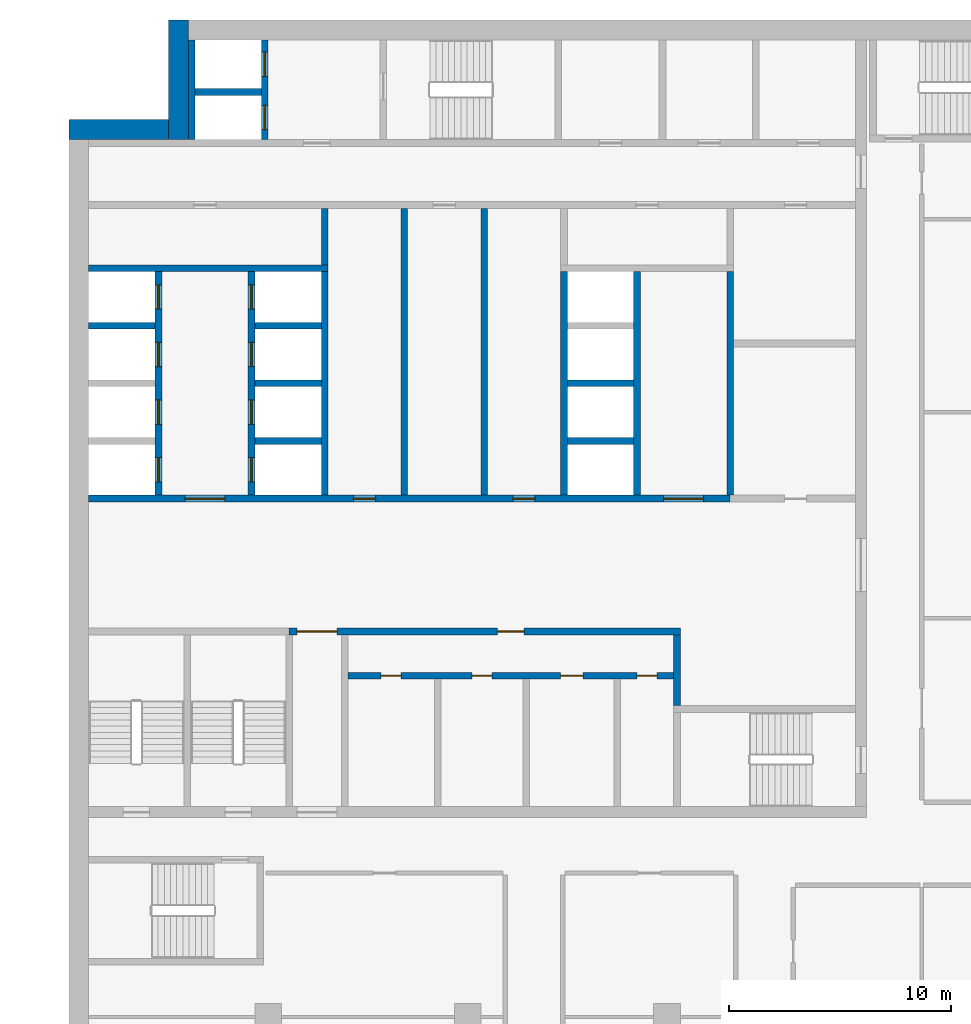
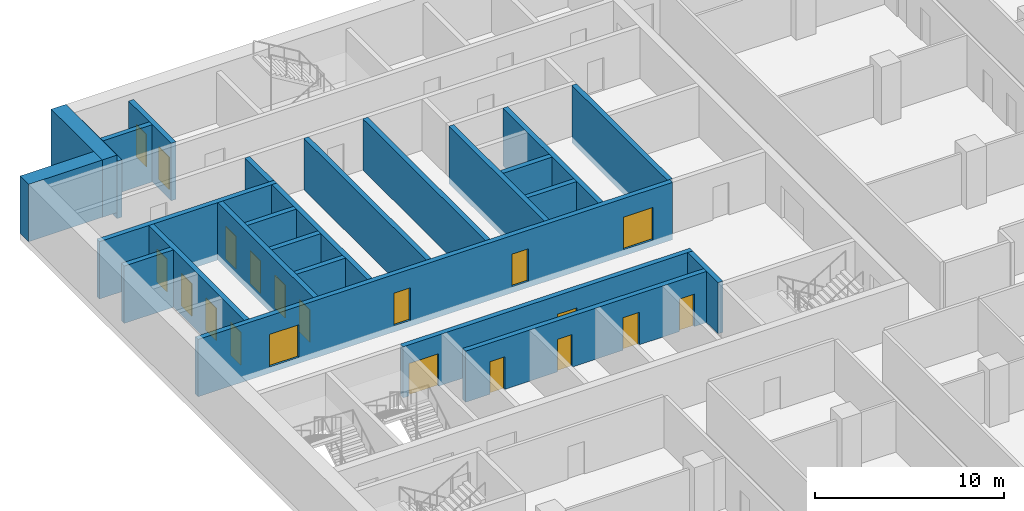
# One storey, part 13 of 23: 25 walls, 20 doors, 20 openings.
"""IFC4 building model written with IfcOpenShell, lengths in metres."""

from ifc_helpers import new_model, si_unit, direction, frame, frame_2d, origin, place, context, subcontext, project, spatial, rectangle, extrude, material, layer, layer_set, type_object, element, fill, save


model = new_model("IFC4")

# Units and contexts
model_context = context("Model", 3, precision=1e-05, world=origin(), true_north=direction((0.0, 1.0)))
body_context = subcontext(model_context, "Body", "Model", "MODEL_VIEW")
ifc_project = project(units=[si_unit("LENGTHUNIT", "METRE"), si_unit("AREAUNIT", "SQUARE_METRE"), si_unit("VOLUMEUNIT", "CUBIC_METRE"), si_unit("PLANEANGLEUNIT", "RADIAN"), si_unit("MASSUNIT", "GRAM", prefix="KILO")], contexts=[model_context])

# Site, building, storey
site_placement = place(None, origin())
site = spatial("IfcSite", under=ifc_project, at=site_placement, CompositionType="ELEMENT")
building_placement = place(site_placement, origin())
building = spatial("IfcBuilding", under=site, at=building_placement, Name="Hunhe Ridgeline Campus", CompositionType="ELEMENT")
storey_placement = place(building_placement, frame((0.0, 0.0, 152.300048828125)))
storey = spatial("IfcBuildingStorey", under=building, at=storey_placement, Name="L38", CompositionType="ELEMENT", Elevation=152.300048828125)

# Wall, openings, doors
ifc_material_1 = material(Name="Masonry concrete blockwork", Category="masonry")
ifc_layer_1 = layer(ifc_material_1, 0.300048828125)
ifc_layer_set_1 = layer_set([ifc_layer_1], Name="Core room partition 300 concrete block")
wall_type_1 = type_object("IfcWallType", Name="Core room partition 300 concrete block", PredefinedType="PARTITIONING", material=ifc_layer_set_1)
wall_1_placement = place(storey_placement, frame((12.60009765625, 69.39990234375, 0.0), z_axis=(0.0, 0.0, 1.0), x_axis=(1.0, 0.0, 0.0)))
wall_1 = element("IfcWall", 1, at=wall_1_placement, inside=storey, type_object=wall_type_1, Name="L38 core partition 9", PredefinedType="PARTITIONING", context=body_context, shape_type="SweptSolid", body=[
    extrude(rectangle(XDim=14.699951171875, YDim=0.300048828125, at=frame_2d((7.35009765625, 0.0))), origin(), (0.0, 0.0, 1.0), 3.300048828125),
])
opening_1_placement = place(wall_1_placement, frame((1.5, 0.0, 0.0)))
opening_1 = element("IfcOpeningElement", 2, at=opening_1_placement, cuts=wall_1, Name="Opening CD8", PredefinedType="OPENING", context=body_context, shape_type="SweptSolid", body=[
    extrude(rectangle(XDim=0.89990234375, YDim=2.10009765625, at=frame_2d((0.449951171875, 1.050048828125))), frame((0.0, 0.14990234375, 0.0), z_axis=(0.0, -1.0, 0.0), x_axis=(1.0, 0.0, 0.0)), (0.0, 0.0, 1.0), 0.300048828125),
])
opening_2_placement = place(wall_1_placement, frame((5.60009765625, 0.0, 0.0)))
opening_2 = element("IfcOpeningElement", 3, at=opening_2_placement, cuts=wall_1, Name="Opening CD9", PredefinedType="OPENING", context=body_context, shape_type="SweptSolid", body=[
    extrude(rectangle(XDim=0.89990234375, YDim=2.10009765625, at=frame_2d((0.449951171875, 1.050048828125))), frame((0.0, 0.14990234375, 0.0), z_axis=(0.0, -1.0, 0.0), x_axis=(1.0, 0.0, 0.0)), (0.0, 0.0, 1.0), 0.300048828125),
])
opening_3_placement = place(wall_1_placement, frame((9.60009765625, 0.0, 0.0)))
opening_3 = element("IfcOpeningElement", 4, at=opening_3_placement, cuts=wall_1, Name="Opening CD10", PredefinedType="OPENING", context=body_context, shape_type="SweptSolid", body=[
    extrude(rectangle(XDim=1.0, YDim=2.10009765625, at=frame_2d((0.5, 1.050048828125))), frame((0.0, 0.14990234375, 0.0), z_axis=(0.0, -1.0, 0.0), x_axis=(1.0, 0.0, 0.0)), (0.0, 0.0, 1.0), 0.300048828125),
])
opening_4_placement = place(wall_1_placement, frame((13.050048828125, 0.0, 0.0)))
opening_4 = element("IfcOpeningElement", 5, at=opening_4_placement, cuts=wall_1, Name="Opening CD11", PredefinedType="OPENING", context=body_context, shape_type="SweptSolid", body=[
    extrude(rectangle(XDim=0.89990234375, YDim=2.10009765625, at=frame_2d((0.449951171875, 1.050048828125))), frame((0.0, 0.14990234375, 0.0), z_axis=(0.0, -1.0, 0.0), x_axis=(1.0, 0.0, 0.0)), (0.0, 0.0, 1.0), 0.300048828125),
])
ifc_material_2 = material(Name="Solid core timber door leaf", Category="wood")
door_type_1 = type_object("IfcDoorType", Name="Timber door 1000x2100", OperationType="SINGLE_SWING_LEFT", PredefinedType="DOOR", material=ifc_material_2)
door_1_placement = place(opening_3_placement, frame((1.0, 0.0, 0.0), z_axis=(0.0, 0.0, 1.0), x_axis=(-1.0, 0.0, 0.0)))
door_1 = element("IfcDoor", 6, at=door_1_placement, inside=storey, type_object=door_type_1, Name="L38 door WC3", OperationType="SINGLE_SWING_RIGHT", OverallHeight=2.10009765625, OverallWidth=1.0, PredefinedType="DOOR", context=body_context, shape_type="SweptSolid", body=[
    extrude(rectangle(XDim=1.0, YDim=2.10009765625, at=frame_2d((0.5, 1.050048828125))), frame((0.0, 0.02490234375, 0.0), z_axis=(0.0, -1.0, 0.0), x_axis=(1.0, 0.0, 0.0)), (0.0, 0.0, 1.0), 0.050048828125),
])
fill(opening_3, door_1)
door_type_2 = type_object("IfcDoorType", Name="Timber door 900x2100", OperationType="SINGLE_SWING_LEFT", PredefinedType="DOOR", material=ifc_material_2)
door_2_placement = place(opening_1_placement, frame((0.89990234375, 0.0, 0.0), z_axis=(0.0, 0.0, 1.0), x_axis=(-1.0, 0.0, 0.0)))
door_2 = element("IfcDoor", 7, at=door_2_placement, inside=storey, type_object=door_type_2, Name="L38 door WC1", OperationType="SINGLE_SWING_RIGHT", OverallHeight=2.10009765625, OverallWidth=0.89990234375, PredefinedType="DOOR", context=body_context, shape_type="SweptSolid", body=[
    extrude(rectangle(XDim=0.89990234375, YDim=2.10009765625, at=frame_2d((0.449951171875, 1.050048828125))), frame((0.0, 0.02490234375, 0.0), z_axis=(0.0, -1.0, 0.0), x_axis=(1.0, 0.0, 0.0)), (0.0, 0.0, 1.0), 0.050048828125),
])
fill(opening_1, door_2)
door_3_placement = place(opening_2_placement, frame((0.89990234375, 0.0, 0.0), z_axis=(0.0, 0.0, 1.0), x_axis=(-1.0, 0.0, 0.0)))
door_3 = element("IfcDoor", 8, at=door_3_placement, inside=storey, type_object=door_type_2, Name="L38 door WC2", OperationType="SINGLE_SWING_LEFT", OverallHeight=2.10009765625, OverallWidth=0.89990234375, PredefinedType="DOOR", context=body_context, shape_type="SweptSolid", body=[
    extrude(rectangle(XDim=0.89990234375, YDim=2.10009765625, at=frame_2d((0.449951171875, 1.050048828125))), frame((0.0, 0.02490234375, 0.0), z_axis=(0.0, -1.0, 0.0), x_axis=(1.0, 0.0, 0.0)), (0.0, 0.0, 1.0), 0.050048828125),
])
fill(opening_2, door_3)
door_4_placement = place(opening_4_placement, frame((0.89990234375, 0.0, 0.0), z_axis=(0.0, 0.0, 1.0), x_axis=(-1.0, 0.0, 0.0)))
door_4 = element("IfcDoor", 9, at=door_4_placement, inside=storey, type_object=door_type_2, Name="L38 door WC4", OperationType="SINGLE_SWING_LEFT", OverallHeight=2.10009765625, OverallWidth=0.89990234375, PredefinedType="DOOR", context=body_context, shape_type="SweptSolid", body=[
    extrude(rectangle(XDim=0.89990234375, YDim=2.10009765625, at=frame_2d((0.449951171875, 1.050048828125))), frame((0.0, 0.02490234375, 0.0), z_axis=(0.0, -1.0, 0.0), x_axis=(1.0, 0.0, 0.0)), (0.0, 0.0, 1.0), 0.050048828125),
])
fill(opening_4, door_4)

wall_2_placement = place(storey_placement, frame((9.949951171875, 71.39990234375, 0.0), z_axis=(0.0, 0.0, 1.0), x_axis=(1.0, 0.0, 0.0)))
wall_2 = element("IfcWall", 10, at=wall_2_placement, inside=storey, type_object=wall_type_1, Name="L38 core partition 11", PredefinedType="PARTITIONING", context=body_context, shape_type="SweptSolid", body=[
    extrude(rectangle(XDim=17.650146484375, YDim=0.300048828125, at=frame_2d((8.8251953125, 0.0))), origin(), (0.0, 0.0, 1.0), 3.300048828125),
])
opening_5_placement = place(wall_2_placement, frame((0.35009765625, 0.0, 0.0)))
opening_5 = element("IfcOpeningElement", 11, at=opening_5_placement, cuts=wall_2, Name="Opening CD7", PredefinedType="OPENING", context=body_context, shape_type="SweptSolid", body=[
    extrude(rectangle(XDim=1.800048828125, YDim=2.10009765625, at=frame_2d((0.89990234375, 1.050048828125))), frame((0.0, 0.14990234375, 0.0), z_axis=(0.0, -1.0, 0.0), x_axis=(1.0, 0.0, 0.0)), (0.0, 0.0, 1.0), 0.300048828125),
])
opening_6_placement = place(wall_2_placement, frame((9.39990234375, 0.0, 0.0)))
opening_6 = element("IfcOpeningElement", 12, at=opening_6_placement, cuts=wall_2, Name="Opening CD12", PredefinedType="OPENING", context=body_context, shape_type="SweptSolid", body=[
    extrude(rectangle(XDim=1.199951171875, YDim=2.10009765625, at=frame_2d((0.60009765625, 1.050048828125))), frame((0.0, 0.14990234375, 0.0), z_axis=(0.0, -1.0, 0.0), x_axis=(1.0, 0.0, 0.0)), (0.0, 0.0, 1.0), 0.300048828125),
])
ifc_material_3 = material(Name="Anodised aluminium and glass", Category="aluminium")
door_type_3 = type_object("IfcDoorType", Name="Glazed double door 1800x2100", OperationType="DOUBLE_DOOR_SINGLE_SWING", PredefinedType="DOOR", material=ifc_material_3)
door_5_placement = place(opening_5_placement, origin())
door_5 = element("IfcDoor", 13, at=door_5_placement, inside=storey, type_object=door_type_3, Name="L38 door VEST-HALL", OperationType="DOUBLE_DOOR_SINGLE_SWING", OverallHeight=2.10009765625, OverallWidth=1.800048828125, PredefinedType="DOOR", context=body_context, shape_type="SweptSolid", body=[
    extrude(rectangle(XDim=1.800048828125, YDim=2.10009765625, at=frame_2d((0.89990234375, 1.050048828125))), frame((0.0, 0.02490234375, 0.0), z_axis=(0.0, -1.0, 0.0), x_axis=(1.0, 0.0, 0.0)), (0.0, 0.0, 1.0), 0.050048828125),
])
fill(opening_5, door_5)
door_type_4 = type_object("IfcDoorType", Name="Timber door 1200x2100", OperationType="SINGLE_SWING_LEFT", PredefinedType="DOOR", material=ifc_material_2)
door_6_placement = place(opening_6_placement, origin())
door_6 = element("IfcDoor", 14, at=door_6_placement, inside=storey, type_object=door_type_4, Name="L38 door WCL2-HALL", OperationType="SINGLE_SWING_LEFT", OverallHeight=2.10009765625, OverallWidth=1.199951171875, PredefinedType="DOOR", context=body_context, shape_type="SweptSolid", body=[
    extrude(rectangle(XDim=1.199951171875, YDim=2.10009765625, at=frame_2d((0.60009765625, 1.050048828125))), frame((0.0, 0.02490234375, 0.0), z_axis=(0.0, -1.0, 0.0), x_axis=(1.0, 0.0, 0.0)), (0.0, 0.0, 1.0), 0.050048828125),
])
fill(opening_6, door_6)

# Walls
wall_3_placement = place(storey_placement, frame((11.550048828125, 87.949951171875, 0.0), z_axis=(0.0, 0.0, 1.0), x_axis=(0.0, 1.0, 0.0)))
element("IfcWall", 15, at=wall_3_placement, inside=storey, type_object=wall_type_1, Name="L38 core partition 40", PredefinedType="PARTITIONING", context=body_context, shape_type="SweptSolid", body=[
    extrude(rectangle(XDim=2.550048828125, YDim=0.300048828125, at=frame_2d((1.27490234375, 0.0))), origin(), (0.0, 0.0, 1.0), 3.300048828125),
])
for number, where, z_axis, x_axis, name in (
    (16, (15.14990234375, 77.550048828125, 0.0), (0.0, 0.0, 1.0), (0.0, 1.0, 0.0), "L38 core partition 43"),
    (17, (18.75, 77.550048828125, 0.0), (0.0, 0.0, 1.0), (0.0, 1.0, 0.0), "L38 core partition 45"),
):
    element("IfcWall", number, at=place(storey_placement, frame(where, z_axis=z_axis, x_axis=x_axis)), inside=storey, type_object=wall_type_1, Name=name, PredefinedType="PARTITIONING", context=body_context, shape_type="SweptSolid", body=[
        extrude(rectangle(XDim=12.949951171875, YDim=0.300048828125, at=frame_2d((6.47509765625, 0.0))), origin(), (0.0, 0.0, 1.0), 3.300048828125),
    ])
wall_4_placement = place(storey_placement, frame((27.449951171875, 68.050048828125, 0.0), z_axis=(0.0, 0.0, 1.0), x_axis=(0.0, 1.0, 0.0)))
element("IfcWall", 18, at=wall_4_placement, inside=storey, type_object=wall_type_1, Name="L38 core partition 56", PredefinedType="PARTITIONING", context=body_context, shape_type="SweptSolid", body=[
    extrude(rectangle(XDim=3.199951171875, YDim=0.300048828125, at=frame_2d((1.60009765625, 0.0))), origin(), (0.0, 0.0, 1.0), 3.300048828125),
])
ifc_material_4 = material(Name="Concrete C70", Category="concrete")
ifc_layer_2 = layer(ifc_material_4, 0.300048828125)
ifc_layer_set_2 = layer_set([ifc_layer_2], Name="Lobby wall 300 reinforced concrete C70")
wall_type_2 = type_object("IfcWallType", Name="Lobby wall 300 reinforced concrete C70", PredefinedType="SOLIDWALL", material=ifc_layer_set_2)
wall_5_placement = place(storey_placement, frame((29.85009765625, 77.550048828125, -0.400146484375), z_axis=(0.0, 0.0, 1.0), x_axis=(0.0, 1.0, 0.0)))
element("IfcWall", 19, at=wall_5_placement, inside=storey, type_object=wall_type_2, Name="L38 core wall 57", PredefinedType="SOLIDWALL", context=body_context, shape_type="SweptSolid", body=[
    extrude(rectangle(XDim=10.099853515625, YDim=0.300048828125, at=frame_2d((5.0498046875, 0.0))), origin(), (0.0, 0.0, 1.0), 3.7001953125),
])

# Wall, openings, doors
ifc_layer_3 = layer(ifc_material_4, 0.300048828125)
ifc_layer_set_3 = layer_set([ifc_layer_3], Name="Shaft wall 300 reinforced concrete C70")
wall_type_3 = type_object("IfcWallType", Name="Shaft wall 300 reinforced concrete C70", PredefinedType="SOLIDWALL", material=ifc_layer_set_3)
wall_6_placement = place(storey_placement, frame((0.89990234375, 77.39990234375, -0.400146484375), z_axis=(0.0, 0.0, 1.0), x_axis=(1.0, 0.0, 0.0)))
wall_6 = element("IfcWall", 20, at=wall_6_placement, inside=storey, type_object=wall_type_3, Name="L38 core wall 12", PredefinedType="SOLIDWALL", context=body_context, shape_type="SweptSolid", body=[
    extrude(rectangle(XDim=28.9501953125, YDim=0.300048828125, at=frame_2d((14.47509765625, 0.0))), origin(), (0.0, 0.0, 1.0), 3.7001953125),
])
opening_7_placement = place(wall_6_placement, frame((4.35009765625, 0.0, 0.39990234375)))
opening_7 = element("IfcOpeningElement", 21, at=opening_7_placement, cuts=wall_6, Name="Opening CD1", PredefinedType="OPENING", context=body_context, shape_type="SweptSolid", body=[
    extrude(rectangle(XDim=1.800048828125, YDim=2.10009765625, at=frame_2d((0.89990234375, 1.050048828125))), frame((0.0, 0.14990234375, 0.0), z_axis=(0.0, -1.0, 0.0), x_axis=(1.0, 0.0, 0.0)), (0.0, 0.0, 1.0), 0.300048828125),
])
opening_8_placement = place(wall_6_placement, frame((25.949951171875, 0.0, 0.39990234375)))
opening_8 = element("IfcOpeningElement", 22, at=opening_8_placement, cuts=wall_6, Name="Opening CD2", PredefinedType="OPENING", context=body_context, shape_type="SweptSolid", body=[
    extrude(rectangle(XDim=1.800048828125, YDim=2.10009765625, at=frame_2d((0.89990234375, 1.050048828125))), frame((0.0, 0.14990234375, 0.0), z_axis=(0.0, -1.0, 0.0), x_axis=(1.0, 0.0, 0.0)), (0.0, 0.0, 1.0), 0.300048828125),
])
opening_9_placement = place(wall_6_placement, frame((11.949951171875, 0.0, 0.39990234375)))
opening_9 = element("IfcOpeningElement", 23, at=opening_9_placement, cuts=wall_6, Name="Opening CD28", PredefinedType="OPENING", context=body_context, shape_type="SweptSolid", body=[
    extrude(rectangle(XDim=1.0, YDim=2.10009765625, at=frame_2d((0.5, 1.050048828125))), frame((0.0, 0.14990234375, 0.0), z_axis=(0.0, -1.0, 0.0), x_axis=(1.0, 0.0, 0.0)), (0.0, 0.0, 1.0), 0.300048828125),
])
opening_10_placement = place(wall_6_placement, frame((19.14990234375, 0.0, 0.39990234375)))
opening_10 = element("IfcOpeningElement", 24, at=opening_10_placement, cuts=wall_6, Name="Opening CD30", PredefinedType="OPENING", context=body_context, shape_type="SweptSolid", body=[
    extrude(rectangle(XDim=1.0, YDim=2.10009765625, at=frame_2d((0.5, 1.050048828125))), frame((0.0, 0.14990234375, 0.0), z_axis=(0.0, -1.0, 0.0), x_axis=(1.0, 0.0, 0.0)), (0.0, 0.0, 1.0), 0.300048828125),
])
ifc_material_5 = material(Name="Hollow metal fire door leaf")
door_type_5 = type_object("IfcDoorType", Name="Lobby door 1800x2100 FD60", OperationType="SINGLE_SWING_LEFT", PredefinedType="DOOR", material=ifc_material_5)
door_7_placement = place(opening_7_placement, frame((1.800048828125, 0.0, 0.0), z_axis=(0.0, 0.0, 1.0), x_axis=(-1.0, 0.0, 0.0)))
door_7 = element("IfcDoor", 25, at=door_7_placement, inside=storey, type_object=door_type_5, Name="L38 door LOB-LR", OperationType="SINGLE_SWING_RIGHT", OverallHeight=2.10009765625, OverallWidth=1.800048828125, PredefinedType="DOOR", context=body_context, shape_type="SweptSolid", body=[
    extrude(rectangle(XDim=1.800048828125, YDim=2.10009765625, at=frame_2d((0.89990234375, 1.050048828125))), frame((0.0, 0.02490234375, 0.0), z_axis=(0.0, -1.0, 0.0), x_axis=(1.0, 0.0, 0.0)), (0.0, 0.0, 1.0), 0.050048828125),
])
fill(opening_7, door_7)
door_8_placement = place(opening_8_placement, frame((1.800048828125, 0.0, 0.0), z_axis=(0.0, 0.0, 1.0), x_axis=(-1.0, 0.0, 0.0)))
door_8 = element("IfcDoor", 26, at=door_8_placement, inside=storey, type_object=door_type_5, Name="L38 door LOB-SH", OperationType="SINGLE_SWING_LEFT", OverallHeight=2.10009765625, OverallWidth=1.800048828125, PredefinedType="DOOR", context=body_context, shape_type="SweptSolid", body=[
    extrude(rectangle(XDim=1.800048828125, YDim=2.10009765625, at=frame_2d((0.89990234375, 1.050048828125))), frame((0.0, 0.02490234375, 0.0), z_axis=(0.0, -1.0, 0.0), x_axis=(1.0, 0.0, 0.0)), (0.0, 0.0, 1.0), 0.050048828125),
])
fill(opening_8, door_8)
door_9_placement = place(opening_9_placement, origin())
door_9 = element("IfcDoor", 27, at=door_9_placement, inside=storey, type_object=door_type_1, Name="L38 door VD-HR0", OperationType="SINGLE_SWING_RIGHT", OverallHeight=2.10009765625, OverallWidth=1.0, PredefinedType="DOOR", context=body_context, shape_type="SweptSolid", body=[
    extrude(rectangle(XDim=1.0, YDim=2.10009765625, at=frame_2d((0.5, 1.050048828125))), frame((0.0, 0.02490234375, 0.0), z_axis=(0.0, -1.0, 0.0), x_axis=(1.0, 0.0, 0.0)), (0.0, 0.0, 1.0), 0.050048828125),
])
fill(opening_9, door_9)
door_10_placement = place(opening_10_placement, origin())
door_10 = element("IfcDoor", 28, at=door_10_placement, inside=storey, type_object=door_type_1, Name="L38 door VD-HR2", OperationType="SINGLE_SWING_RIGHT", OverallHeight=2.10009765625, OverallWidth=1.0, PredefinedType="DOOR", context=body_context, shape_type="SweptSolid", body=[
    extrude(rectangle(XDim=1.0, YDim=2.10009765625, at=frame_2d((0.5, 1.050048828125))), frame((0.0, 0.02490234375, 0.0), z_axis=(0.0, -1.0, 0.0), x_axis=(1.0, 0.0, 0.0)), (0.0, 0.0, 1.0), 0.050048828125),
])
fill(opening_10, door_10)

# Walls
for number, where, z_axis, x_axis, name in (
    (29, (8.39990234375, 80.0, -0.400146484375), (0.0, 0.0, 1.0), (1.0, 0.0, 0.0), "L38 core wall 15"),
    (30, (22.5, 80.0, -0.400146484375), (0.0, 0.0, 1.0), (1.0, 0.0, 0.0), "L38 core wall 16"),
    (31, (8.39990234375, 82.60009765625, -0.400146484375), (0.0, 0.0, 1.0), (1.0, 0.0, 0.0), "L38 core wall 18"),
    (32, (22.5, 82.60009765625, -0.400146484375), (0.0, 0.0, 1.0), (1.0, 0.0, 0.0), "L38 core wall 19"),
    (33, (0.89990234375, 85.199951171875, -0.400146484375), (0.0, 0.0, 1.0), (1.0, 0.0, 0.0), "L38 core wall 21"),
    (34, (8.39990234375, 85.199951171875, -0.400146484375), (0.0, 0.0, 1.0), (1.0, 0.0, 0.0), "L38 core wall 22"),
):
    element("IfcWall", number, at=place(storey_placement, frame(where, z_axis=z_axis, x_axis=x_axis)), inside=storey, type_object=wall_type_3, Name=name, PredefinedType="SOLIDWALL", context=body_context, shape_type="SweptSolid", body=[
        extrude(rectangle(XDim=3.0, YDim=0.300048828125, at=frame_2d((1.5, 0.0))), origin(), (0.0, 0.0, 1.0), 3.7001953125),
    ])
wall_7_placement = place(storey_placement, frame((0.89990234375, 87.800048828125, -0.400146484375), z_axis=(0.0, 0.0, 1.0), x_axis=(1.0, 0.0, 0.0)))
element("IfcWall", 35, at=wall_7_placement, inside=storey, type_object=wall_type_3, Name="L38 core wall 24", PredefinedType="SOLIDWALL", context=body_context, shape_type="SweptSolid", body=[
    extrude(rectangle(XDim=10.800048828125, YDim=0.300048828125, at=frame_2d((5.39990234375, 0.0))), origin(), (0.0, 0.0, 1.0), 3.7001953125),
])
wall_8_placement = place(storey_placement, frame((5.699951171875, 95.75, -0.400146484375), z_axis=(0.0, 0.0, 1.0), x_axis=(1.0, 0.0, 0.0)))
element("IfcWall", 36, at=wall_8_placement, inside=storey, type_object=wall_type_3, Name="L38 core wall 30", PredefinedType="SOLIDWALL", context=body_context, shape_type="SweptSolid", body=[
    extrude(rectangle(XDim=3.0, YDim=0.300048828125, at=frame_2d((1.5, 0.0))), origin(), (0.0, 0.0, 1.0), 3.7001953125),
])

# Wall, openings, doors
wall_9_placement = place(storey_placement, frame((4.050048828125, 77.550048828125, -0.400146484375), z_axis=(0.0, 0.0, 1.0), x_axis=(0.0, 1.0, 0.0)))
wall_9 = element("IfcWall", 37, at=wall_9_placement, inside=storey, type_object=wall_type_3, Name="L38 core wall 31", PredefinedType="SOLIDWALL", context=body_context, shape_type="SweptSolid", body=[
    extrude(rectangle(XDim=10.099853515625, YDim=0.300048828125, at=frame_2d((5.0498046875, 0.0))), origin(), (0.0, 0.0, 1.0), 3.7001953125),
])
opening_11_placement = place(wall_9_placement, frame((0.60009765625, 0.0, 0.39990234375)))
opening_11 = element("IfcOpeningElement", 38, at=opening_11_placement, cuts=wall_9, Name="Opening LD-LR1", PredefinedType="OPENING", context=body_context, shape_type="SweptSolid", body=[
    extrude(rectangle(XDim=1.10009765625, YDim=2.10009765625, at=frame_2d((0.550048828125, 1.050048828125))), frame((0.0, 0.14990234375, 0.0), z_axis=(0.0, -1.0, 0.0), x_axis=(1.0, 0.0, 0.0)), (0.0, 0.0, 1.0), 0.300048828125),
])
opening_12_placement = place(wall_9_placement, frame((3.199951171875, 0.0, 0.39990234375)))
opening_12 = element("IfcOpeningElement", 39, at=opening_12_placement, cuts=wall_9, Name="Opening LD-LR2", PredefinedType="OPENING", context=body_context, shape_type="SweptSolid", body=[
    extrude(rectangle(XDim=1.10009765625, YDim=2.10009765625, at=frame_2d((0.550048828125, 1.050048828125))), frame((0.0, 0.14990234375, 0.0), z_axis=(0.0, -1.0, 0.0), x_axis=(1.0, 0.0, 0.0)), (0.0, 0.0, 1.0), 0.300048828125),
])
opening_13_placement = place(wall_9_placement, frame((5.800048828125, 0.0, 0.39990234375)))
opening_13 = element("IfcOpeningElement", 40, at=opening_13_placement, cuts=wall_9, Name="Opening LD-LR3", PredefinedType="OPENING", context=body_context, shape_type="SweptSolid", body=[
    extrude(rectangle(XDim=1.10009765625, YDim=2.10009765625, at=frame_2d((0.550048828125, 1.050048828125))), frame((0.0, 0.14990234375, 0.0), z_axis=(0.0, -1.0, 0.0), x_axis=(1.0, 0.0, 0.0)), (0.0, 0.0, 1.0), 0.300048828125),
])
opening_14_placement = place(wall_9_placement, frame((8.39990234375, 0.0, 0.39990234375)))
opening_14 = element("IfcOpeningElement", 41, at=opening_14_placement, cuts=wall_9, Name="Opening LD-LR4", PredefinedType="OPENING", context=body_context, shape_type="SweptSolid", body=[
    extrude(rectangle(XDim=1.10009765625, YDim=2.10009765625, at=frame_2d((0.550048828125, 1.050048828125))), frame((0.0, 0.14990234375, 0.0), z_axis=(0.0, -1.0, 0.0), x_axis=(1.0, 0.0, 0.0)), (0.0, 0.0, 1.0), 0.300048828125),
])
ifc_material_6 = material(Name="Stainless steel sliding leaves", Category="steel")
door_type_6 = type_object("IfcDoorType", Name="Landing door 1100x2100 FD120", OperationType="SLIDING_TO_LEFT", PredefinedType="DOOR", material=ifc_material_6)
door_11_placement = place(opening_11_placement, origin())
door_11 = element("IfcDoor", 42, at=door_11_placement, inside=storey, type_object=door_type_6, Name="L38 landing door LR1", OperationType="SLIDING_TO_RIGHT", OverallHeight=2.10009765625, OverallWidth=1.10009765625, PredefinedType="DOOR", context=body_context, shape_type="SweptSolid", body=[
    extrude(rectangle(XDim=1.10009765625, YDim=2.10009765625, at=frame_2d((0.550048828125, 1.050048828125))), frame((0.0, 0.02490234375, 0.0), z_axis=(0.0, -1.0, 0.0), x_axis=(1.0, 0.0, 0.0)), (0.0, 0.0, 1.0), 0.050048828125),
])
fill(opening_11, door_11)
door_12_placement = place(opening_12_placement, origin())
door_12 = element("IfcDoor", 43, at=door_12_placement, inside=storey, type_object=door_type_6, Name="L38 landing door LR2", OperationType="SLIDING_TO_LEFT", OverallHeight=2.10009765625, OverallWidth=1.10009765625, PredefinedType="DOOR", context=body_context, shape_type="SweptSolid", body=[
    extrude(rectangle(XDim=1.10009765625, YDim=2.10009765625, at=frame_2d((0.550048828125, 1.050048828125))), frame((0.0, 0.02490234375, 0.0), z_axis=(0.0, -1.0, 0.0), x_axis=(1.0, 0.0, 0.0)), (0.0, 0.0, 1.0), 0.050048828125),
])
fill(opening_12, door_12)
door_13_placement = place(opening_13_placement, origin())
door_13 = element("IfcDoor", 44, at=door_13_placement, inside=storey, type_object=door_type_6, Name="L38 landing door LR3", OperationType="SLIDING_TO_RIGHT", OverallHeight=2.10009765625, OverallWidth=1.10009765625, PredefinedType="DOOR", context=body_context, shape_type="SweptSolid", body=[
    extrude(rectangle(XDim=1.10009765625, YDim=2.10009765625, at=frame_2d((0.550048828125, 1.050048828125))), frame((0.0, 0.02490234375, 0.0), z_axis=(0.0, -1.0, 0.0), x_axis=(1.0, 0.0, 0.0)), (0.0, 0.0, 1.0), 0.050048828125),
])
fill(opening_13, door_13)
door_14_placement = place(opening_14_placement, origin())
door_14 = element("IfcDoor", 45, at=door_14_placement, inside=storey, type_object=door_type_6, Name="L38 landing door LR4", OperationType="SLIDING_TO_LEFT", OverallHeight=2.10009765625, OverallWidth=1.10009765625, PredefinedType="DOOR", context=body_context, shape_type="SweptSolid", body=[
    extrude(rectangle(XDim=1.10009765625, YDim=2.10009765625, at=frame_2d((0.550048828125, 1.050048828125))), frame((0.0, 0.02490234375, 0.0), z_axis=(0.0, -1.0, 0.0), x_axis=(1.0, 0.0, 0.0)), (0.0, 0.0, 1.0), 0.050048828125),
])
fill(opening_14, door_14)

# Wall
wall_10_placement = place(storey_placement, frame((5.550048828125, 93.60009765625, -0.400146484375), z_axis=(0.0, 0.0, 1.0), x_axis=(0.0, 1.0, 0.0)))
element("IfcWall", 46, at=wall_10_placement, inside=storey, type_object=wall_type_3, Name="L38 core wall 33", PredefinedType="SOLIDWALL", context=body_context, shape_type="SweptSolid", body=[
    extrude(rectangle(XDim=4.5, YDim=0.300048828125, at=frame_2d((2.25, 0.0))), origin(), (0.0, 0.0, 1.0), 3.7001953125),
])

# Wall, openings, doors
wall_11_placement = place(storey_placement, frame((8.25, 77.550048828125, -0.400146484375), z_axis=(0.0, 0.0, 1.0), x_axis=(0.0, 1.0, 0.0)))
wall_11 = element("IfcWall", 47, at=wall_11_placement, inside=storey, type_object=wall_type_3, Name="L38 core wall 34", PredefinedType="SOLIDWALL", context=body_context, shape_type="SweptSolid", body=[
    extrude(rectangle(XDim=10.099853515625, YDim=0.300048828125, at=frame_2d((5.0498046875, 0.0))), origin(), (0.0, 0.0, 1.0), 3.7001953125),
])
opening_15_placement = place(wall_11_placement, frame((0.60009765625, 0.0, 0.39990234375)))
opening_15 = element("IfcOpeningElement", 48, at=opening_15_placement, cuts=wall_11, Name="Opening LD-LR5", PredefinedType="OPENING", context=body_context, shape_type="SweptSolid", body=[
    extrude(rectangle(XDim=1.10009765625, YDim=2.10009765625, at=frame_2d((0.550048828125, 1.050048828125))), frame((0.0, 0.14990234375, 0.0), z_axis=(0.0, -1.0, 0.0), x_axis=(1.0, 0.0, 0.0)), (0.0, 0.0, 1.0), 0.300048828125),
])
opening_16_placement = place(wall_11_placement, frame((3.199951171875, 0.0, 0.39990234375)))
opening_16 = element("IfcOpeningElement", 49, at=opening_16_placement, cuts=wall_11, Name="Opening LD-LR6", PredefinedType="OPENING", context=body_context, shape_type="SweptSolid", body=[
    extrude(rectangle(XDim=1.10009765625, YDim=2.10009765625, at=frame_2d((0.550048828125, 1.050048828125))), frame((0.0, 0.14990234375, 0.0), z_axis=(0.0, -1.0, 0.0), x_axis=(1.0, 0.0, 0.0)), (0.0, 0.0, 1.0), 0.300048828125),
])
opening_17_placement = place(wall_11_placement, frame((5.800048828125, 0.0, 0.39990234375)))
opening_17 = element("IfcOpeningElement", 50, at=opening_17_placement, cuts=wall_11, Name="Opening LD-LR7", PredefinedType="OPENING", context=body_context, shape_type="SweptSolid", body=[
    extrude(rectangle(XDim=1.10009765625, YDim=2.10009765625, at=frame_2d((0.550048828125, 1.050048828125))), frame((0.0, 0.14990234375, 0.0), z_axis=(0.0, -1.0, 0.0), x_axis=(1.0, 0.0, 0.0)), (0.0, 0.0, 1.0), 0.300048828125),
])
opening_18_placement = place(wall_11_placement, frame((8.39990234375, 0.0, 0.39990234375)))
opening_18 = element("IfcOpeningElement", 51, at=opening_18_placement, cuts=wall_11, Name="Opening LD-LR8", PredefinedType="OPENING", context=body_context, shape_type="SweptSolid", body=[
    extrude(rectangle(XDim=1.10009765625, YDim=2.10009765625, at=frame_2d((0.550048828125, 1.050048828125))), frame((0.0, 0.14990234375, 0.0), z_axis=(0.0, -1.0, 0.0), x_axis=(1.0, 0.0, 0.0)), (0.0, 0.0, 1.0), 0.300048828125),
])
door_15_placement = place(opening_15_placement, origin())
door_15 = element("IfcDoor", 52, at=door_15_placement, inside=storey, type_object=door_type_6, Name="L38 landing door LR5", OperationType="SLIDING_TO_RIGHT", OverallHeight=2.10009765625, OverallWidth=1.10009765625, PredefinedType="DOOR", context=body_context, shape_type="SweptSolid", body=[
    extrude(rectangle(XDim=1.10009765625, YDim=2.10009765625, at=frame_2d((0.550048828125, 1.050048828125))), frame((0.0, 0.02490234375, 0.0), z_axis=(0.0, -1.0, 0.0), x_axis=(1.0, 0.0, 0.0)), (0.0, 0.0, 1.0), 0.050048828125),
])
fill(opening_15, door_15)
door_16_placement = place(opening_16_placement, origin())
door_16 = element("IfcDoor", 53, at=door_16_placement, inside=storey, type_object=door_type_6, Name="L38 landing door LR6", OperationType="SLIDING_TO_LEFT", OverallHeight=2.10009765625, OverallWidth=1.10009765625, PredefinedType="DOOR", context=body_context, shape_type="SweptSolid", body=[
    extrude(rectangle(XDim=1.10009765625, YDim=2.10009765625, at=frame_2d((0.550048828125, 1.050048828125))), frame((0.0, 0.02490234375, 0.0), z_axis=(0.0, -1.0, 0.0), x_axis=(1.0, 0.0, 0.0)), (0.0, 0.0, 1.0), 0.050048828125),
])
fill(opening_16, door_16)
door_17_placement = place(opening_17_placement, origin())
door_17 = element("IfcDoor", 54, at=door_17_placement, inside=storey, type_object=door_type_6, Name="L38 landing door LR7", OperationType="SLIDING_TO_RIGHT", OverallHeight=2.10009765625, OverallWidth=1.10009765625, PredefinedType="DOOR", context=body_context, shape_type="SweptSolid", body=[
    extrude(rectangle(XDim=1.10009765625, YDim=2.10009765625, at=frame_2d((0.550048828125, 1.050048828125))), frame((0.0, 0.02490234375, 0.0), z_axis=(0.0, -1.0, 0.0), x_axis=(1.0, 0.0, 0.0)), (0.0, 0.0, 1.0), 0.050048828125),
])
fill(opening_17, door_17)
door_18_placement = place(opening_18_placement, origin())
door_18 = element("IfcDoor", 55, at=door_18_placement, inside=storey, type_object=door_type_6, Name="L38 landing door LR8", OperationType="SLIDING_TO_LEFT", OverallHeight=2.10009765625, OverallWidth=1.10009765625, PredefinedType="DOOR", context=body_context, shape_type="SweptSolid", body=[
    extrude(rectangle(XDim=1.10009765625, YDim=2.10009765625, at=frame_2d((0.550048828125, 1.050048828125))), frame((0.0, 0.02490234375, 0.0), z_axis=(0.0, -1.0, 0.0), x_axis=(1.0, 0.0, 0.0)), (0.0, 0.0, 1.0), 0.050048828125),
])
fill(opening_18, door_18)

wall_12_placement = place(storey_placement, frame((8.85009765625, 93.60009765625, -0.400146484375), z_axis=(0.0, 0.0, 1.0), x_axis=(0.0, 1.0, 0.0)))
wall_12 = element("IfcWall", 56, at=wall_12_placement, inside=storey, type_object=wall_type_3, Name="L38 core wall 37", PredefinedType="SOLIDWALL", context=body_context, shape_type="SweptSolid", body=[
    extrude(rectangle(XDim=4.5, YDim=0.300048828125, at=frame_2d((2.25, 0.0))), origin(), (0.0, 0.0, 1.0), 3.7001953125),
])
opening_19_placement = place(wall_12_placement, frame((0.449951171875, 0.0, 0.39990234375)))
opening_19 = element("IfcOpeningElement", 57, at=opening_19_placement, cuts=wall_12, Name="Opening LD-FF1", PredefinedType="OPENING", context=body_context, shape_type="SweptSolid", body=[
    extrude(rectangle(XDim=1.10009765625, YDim=2.10009765625, at=frame_2d((0.550048828125, 1.050048828125))), frame((0.0, 0.14990234375, 0.0), z_axis=(0.0, -1.0, 0.0), x_axis=(1.0, 0.0, 0.0)), (0.0, 0.0, 1.0), 0.300048828125),
])
opening_20_placement = place(wall_12_placement, frame((2.85009765625, 0.0, 0.39990234375)))
opening_20 = element("IfcOpeningElement", 58, at=opening_20_placement, cuts=wall_12, Name="Opening LD-FF2", PredefinedType="OPENING", context=body_context, shape_type="SweptSolid", body=[
    extrude(rectangle(XDim=1.10009765625, YDim=2.10009765625, at=frame_2d((0.550048828125, 1.050048828125))), frame((0.0, 0.14990234375, 0.0), z_axis=(0.0, -1.0, 0.0), x_axis=(1.0, 0.0, 0.0)), (0.0, 0.0, 1.0), 0.300048828125),
])
door_19_placement = place(opening_19_placement, origin())
door_19 = element("IfcDoor", 59, at=door_19_placement, inside=storey, type_object=door_type_6, Name="L38 landing door FF1", OperationType="SLIDING_TO_RIGHT", OverallHeight=2.10009765625, OverallWidth=1.10009765625, PredefinedType="DOOR", context=body_context, shape_type="SweptSolid", body=[
    extrude(rectangle(XDim=1.10009765625, YDim=2.10009765625, at=frame_2d((0.550048828125, 1.050048828125))), frame((0.0, 0.02490234375, 0.0), z_axis=(0.0, -1.0, 0.0), x_axis=(1.0, 0.0, 0.0)), (0.0, 0.0, 1.0), 0.050048828125),
])
fill(opening_19, door_19)
door_20_placement = place(opening_20_placement, origin())
door_20 = element("IfcDoor", 60, at=door_20_placement, inside=storey, type_object=door_type_6, Name="L38 landing door FF2", OperationType="SLIDING_TO_LEFT", OverallHeight=2.10009765625, OverallWidth=1.10009765625, PredefinedType="DOOR", context=body_context, shape_type="SweptSolid", body=[
    extrude(rectangle(XDim=1.10009765625, YDim=2.10009765625, at=frame_2d((0.550048828125, 1.050048828125))), frame((0.0, 0.02490234375, 0.0), z_axis=(0.0, -1.0, 0.0), x_axis=(1.0, 0.0, 0.0)), (0.0, 0.0, 1.0), 0.050048828125),
])
fill(opening_20, door_20)

# Walls
for number, where, z_axis, x_axis, name in (
    (61, (11.550048828125, 77.550048828125, -0.400146484375), (0.0, 0.0, 1.0), (0.0, 1.0, 0.0), "L38 core wall 39"),
    (62, (22.35009765625, 77.550048828125, -0.400146484375), (0.0, 0.0, 1.0), (0.0, 1.0, 0.0), "L38 core wall 49"),
    (63, (25.64990234375, 77.550048828125, -0.400146484375), (0.0, 0.0, 1.0), (0.0, 1.0, 0.0), "L38 core wall 53"),
):
    element("IfcWall", number, at=place(storey_placement, frame(where, z_axis=z_axis, x_axis=x_axis)), inside=storey, type_object=wall_type_3, Name=name, PredefinedType="SOLIDWALL", context=body_context, shape_type="SweptSolid", body=[
        extrude(rectangle(XDim=10.099853515625, YDim=0.300048828125, at=frame_2d((5.0498046875, 0.0))), origin(), (0.0, 0.0, 1.0), 3.7001953125),
    ])
ifc_layer_4 = layer(ifc_material_4, 0.89990234375)
ifc_layer_set_4 = layer_set([ifc_layer_4], Name="Spine wall 900 Concrete C70")
wall_type_4 = type_object("IfcWallType", Name="Spine wall 900 Concrete C70", PredefinedType="SHEAR", material=ifc_layer_set_4)
for number, where, z_axis, x_axis, name in (
    (64, (4.949951171875, 99.0, 0.0), (0.0, 0.0, 1.0), (0.0, -1.0, 0.0), "Spine wall SW2-5 L38"),
    (65, (5.400146484375, 94.050048828125, 0.0), (0.0, 0.0, 1.0), (-1.0, 0.0, 0.0), "Spine wall SW2-6 L38"),
):
    element("IfcWall", number, at=place(storey_placement, frame(where, z_axis=z_axis, x_axis=x_axis)), inside=storey, type_object=wall_type_4, Name=name, PredefinedType="SHEAR", context=body_context, shape_type="SweptSolid", body=[
        extrude(rectangle(XDim=5.400146484375, YDim=0.89990234375, at=frame_2d((2.7001953125, 0.0))), origin(), (0.0, 0.0, 1.0), 3.699951171875),
    ])

save(model, "model.ifc")
